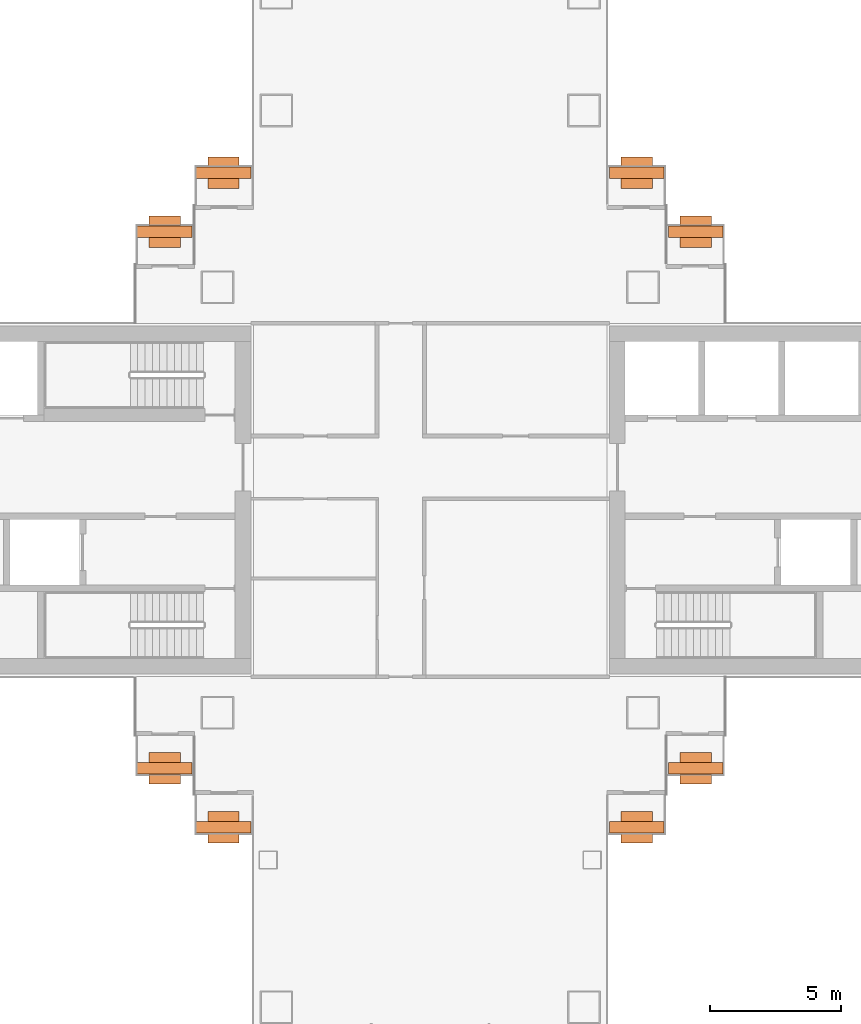
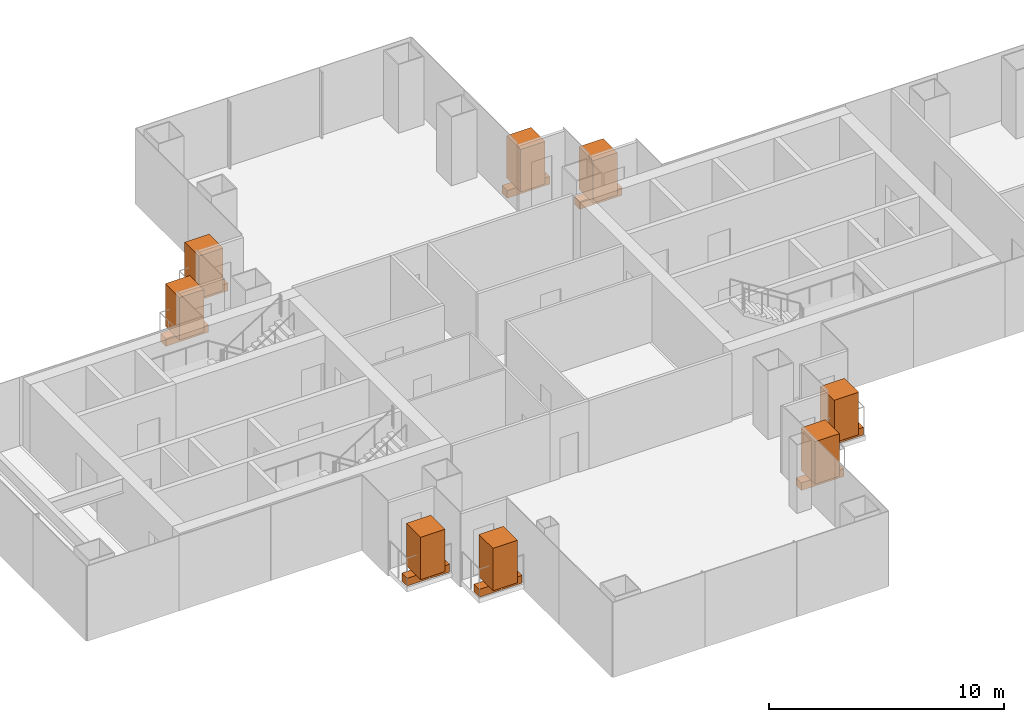
# One storey, part 19 of 19: 8 geographic elements, 8 proxies.
"""IFC4 building model written with IfcOpenShell, lengths in metres."""

from ifc_helpers import new_model, si_unit, direction, frame, origin, origin_2d, place, context, subcontext, project, spatial, rectangle, extrude, material, type_object, element, save


model = new_model("IFC4")

# Units and contexts
model_context = context("Model", 3, precision=1e-05, world=origin(), true_north=direction((0.0, 1.0)))
body_context = subcontext(model_context, "Body", "Model", "MODEL_VIEW")
ifc_project = project(units=[si_unit("LENGTHUNIT", "METRE"), si_unit("AREAUNIT", "SQUARE_METRE"), si_unit("VOLUMEUNIT", "CUBIC_METRE"), si_unit("PLANEANGLEUNIT", "RADIAN"), si_unit("MASSUNIT", "GRAM", prefix="KILO")], contexts=[model_context])

# Site, building, storey
site_placement = place(None, origin())
site = spatial("IfcSite", under=ifc_project, at=site_placement, CompositionType="ELEMENT")
building_placement = place(site_placement, origin())
building = spatial("IfcBuilding", under=site, at=building_placement, Name="Shamsa Quay Exchange Towers", CompositionType="ELEMENT")
storey_placement = place(building_placement, frame((0.0, 0.0, 85.800048828125)))
storey = spatial("IfcBuildingStorey", under=building, at=storey_placement, Name="L19", CompositionType="ELEMENT", Elevation=85.800048828125)

# Proxies
ifc_material_1 = material(Name="Reinforced concrete C30/37, black glass-fibre faced", Category="concrete")
building_element_proxy_type = type_object("IfcBuildingElementProxyType", Name="BALCONY PLANTER", PredefinedType="USERDEFINED", material=ifc_material_1)
for number, where, z_axis, x_axis, name in (
    (1, (-23.60595703125, 10.2451171875, 0.0), (0.0, 0.0, 1.0), (-1.0, 0.0, 0.0), "PLANTER T1-PKEN L19"),
    (2, (-25.85595703125, 12.4951171875, 0.0), (0.0, 0.0, 1.0), (-1.0, 0.0, 0.0), "PLANTER T1-PKEN L19"),
):
    element("IfcBuildingElementProxy", number, at=place(storey_placement, frame(where, z_axis=z_axis, x_axis=x_axis)), inside=storey, type_object=building_element_proxy_type, Name=name, ObjectType="PLANTER", PredefinedType="USERDEFINED", context=body_context, shape_type="SweptSolid", body=[
        extrude(rectangle(XDim=2.092041015625, YDim=0.449951171875, at=origin_2d()), origin(), (0.0, 0.0, 1.0), 0.39990234375),
    ])
for number, where, name in (
    (3, (-23.60595703125, -10.2451171875, 0.0), "PLANTER T1-PKES L19"),
    (4, (-25.85595703125, -12.4951171875, 0.0), "PLANTER T1-PKES L19"),
):
    element("IfcBuildingElementProxy", number, at=place(storey_placement, frame(where)), inside=storey, type_object=building_element_proxy_type, Name=name, ObjectType="PLANTER", PredefinedType="USERDEFINED", context=body_context, shape_type="SweptSolid", body=[
        extrude(rectangle(XDim=2.092041015625, YDim=0.449951171875, at=origin_2d()), origin(), (0.0, 0.0, 1.0), 0.39990234375),
    ])
for number, where, z_axis, x_axis, name in (
    (5, (-41.64404296875, 12.4951171875, 0.0), (0.0, 0.0, 1.0), (-1.0, 0.0, 0.0), "PLANTER T1-PKWN L19"),
    (6, (-43.89404296875, 10.2451171875, 0.0), (0.0, 0.0, 1.0), (-1.0, 0.0, 0.0), "PLANTER T1-PKWN L19"),
):
    element("IfcBuildingElementProxy", number, at=place(storey_placement, frame(where, z_axis=z_axis, x_axis=x_axis)), inside=storey, type_object=building_element_proxy_type, Name=name, ObjectType="PLANTER", PredefinedType="USERDEFINED", context=body_context, shape_type="SweptSolid", body=[
        extrude(rectangle(XDim=2.092041015625, YDim=0.449951171875, at=origin_2d()), origin(), (0.0, 0.0, 1.0), 0.39990234375),
    ])
for number, where, name in (
    (7, (-43.89404296875, -10.2451171875, 0.0), "PLANTER T1-PKWS L19"),
    (8, (-41.64404296875, -12.4951171875, 0.0), "PLANTER T1-PKWS L19"),
):
    element("IfcBuildingElementProxy", number, at=place(storey_placement, frame(where)), inside=storey, type_object=building_element_proxy_type, Name=name, ObjectType="PLANTER", PredefinedType="USERDEFINED", context=body_context, shape_type="SweptSolid", body=[
        extrude(rectangle(XDim=2.092041015625, YDim=0.449951171875, at=origin_2d()), origin(), (0.0, 0.0, 1.0), 0.39990234375),
    ])

# Geographic elements
ifc_material_2 = material(Name="Planting")
geographic_element_type = type_object("IfcGeographicElementType", Name="BALCONY TREE", PredefinedType="USERDEFINED", material=ifc_material_2)
for number, where, z_axis, x_axis, name in (
    (9, (-23.60595703125, 10.2451171875, 0.39990234375), (0.0, 0.0, 1.0), (-1.0, 0.0, 0.0), "TREE T1-PKEN L19"),
    (10, (-25.85595703125, 12.4951171875, 0.39990234375), (0.0, 0.0, 1.0), (-1.0, 0.0, 0.0), "TREE T1-PKEN L19"),
):
    element("IfcGeographicElement", number, at=place(storey_placement, frame(where, z_axis=z_axis, x_axis=x_axis)), inside=storey, type_object=geographic_element_type, Name=name, ObjectType="TREE", PredefinedType="USERDEFINED", context=body_context, shape_type="SweptSolid", body=[
        extrude(rectangle(XDim=1.199951171875, YDim=1.199951171875, at=origin_2d()), origin(), (0.0, 0.0, 1.0), 2.199951171875),
    ])
for number, where, name in (
    (11, (-23.60595703125, -10.2451171875, 0.39990234375), "TREE T1-PKES L19"),
    (12, (-25.85595703125, -12.4951171875, 0.39990234375), "TREE T1-PKES L19"),
):
    element("IfcGeographicElement", number, at=place(storey_placement, frame(where)), inside=storey, type_object=geographic_element_type, Name=name, ObjectType="TREE", PredefinedType="USERDEFINED", context=body_context, shape_type="SweptSolid", body=[
        extrude(rectangle(XDim=1.199951171875, YDim=1.199951171875, at=origin_2d()), origin(), (0.0, 0.0, 1.0), 2.199951171875),
    ])
for number, where, z_axis, x_axis, name in (
    (13, (-41.64404296875, 12.4951171875, 0.39990234375), (0.0, 0.0, 1.0), (-1.0, 0.0, 0.0), "TREE T1-PKWN L19"),
    (14, (-43.89404296875, 10.2451171875, 0.39990234375), (0.0, 0.0, 1.0), (-1.0, 0.0, 0.0), "TREE T1-PKWN L19"),
):
    element("IfcGeographicElement", number, at=place(storey_placement, frame(where, z_axis=z_axis, x_axis=x_axis)), inside=storey, type_object=geographic_element_type, Name=name, ObjectType="TREE", PredefinedType="USERDEFINED", context=body_context, shape_type="SweptSolid", body=[
        extrude(rectangle(XDim=1.199951171875, YDim=1.199951171875, at=origin_2d()), origin(), (0.0, 0.0, 1.0), 2.199951171875),
    ])
for number, where, name in (
    (15, (-43.89404296875, -10.2451171875, 0.39990234375), "TREE T1-PKWS L19"),
    (16, (-41.64404296875, -12.4951171875, 0.39990234375), "TREE T1-PKWS L19"),
):
    element("IfcGeographicElement", number, at=place(storey_placement, frame(where)), inside=storey, type_object=geographic_element_type, Name=name, ObjectType="TREE", PredefinedType="USERDEFINED", context=body_context, shape_type="SweptSolid", body=[
        extrude(rectangle(XDim=1.199951171875, YDim=1.199951171875, at=origin_2d()), origin(), (0.0, 0.0, 1.0), 2.199951171875),
    ])

save(model, "model.ifc")
